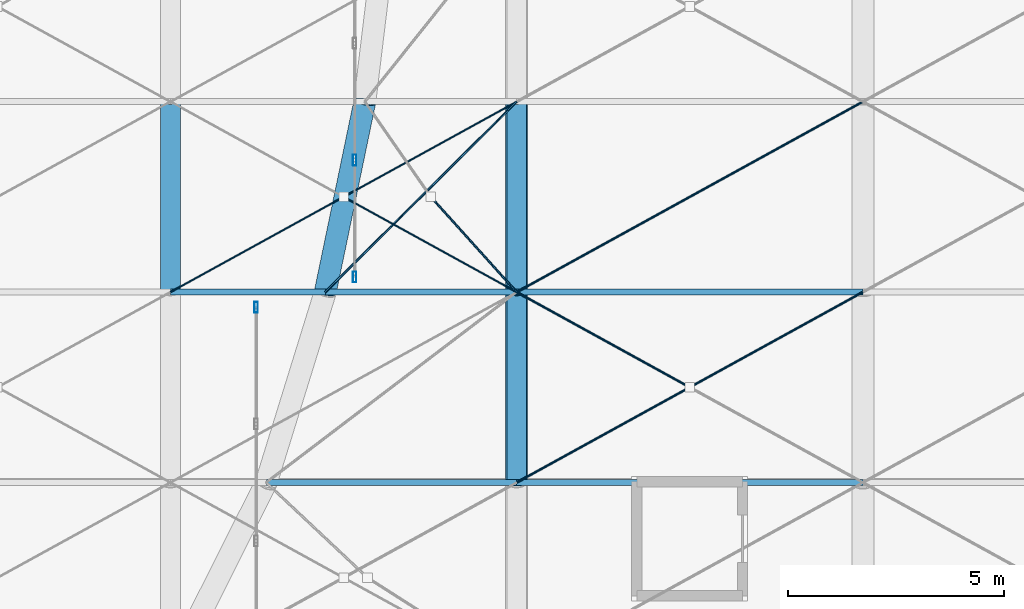
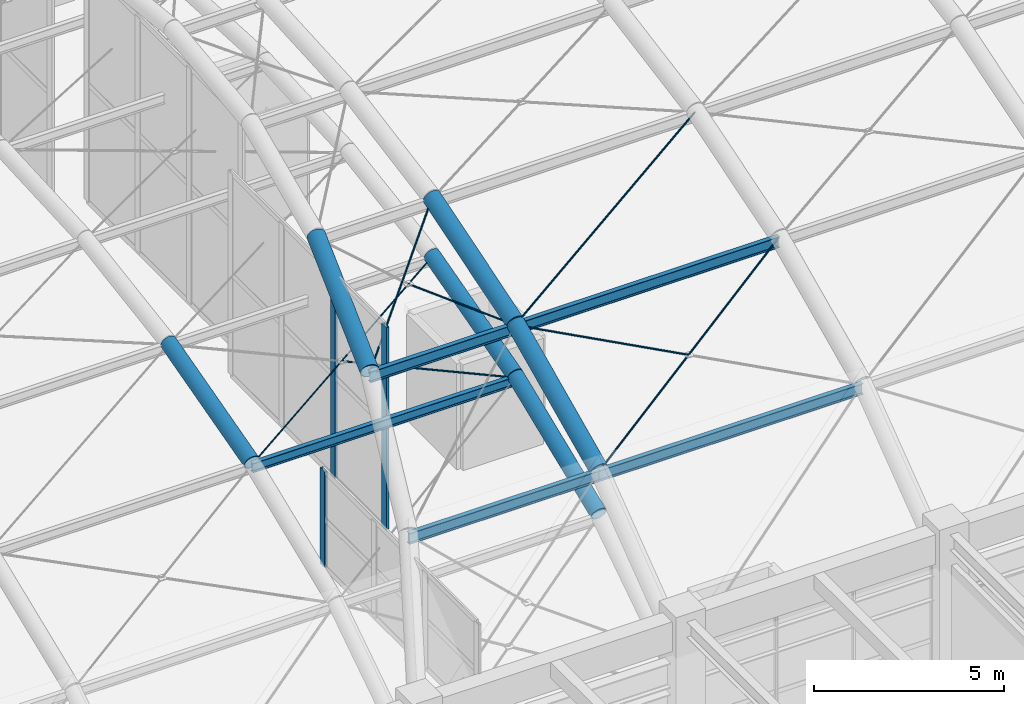
# One storey, part 41 of 163: 11 beams, 10 members, 2 elements without a shape of their own.
"""IFC4 building model written with IfcOpenShell, lengths in metres."""

import ifcopenshell
import ifcopenshell.guid

model = None  # the IFC model being written
_history = None  # IfcOwnerHistory: only IFC2X3 demands one
_inside = {}  # id of a spatial element -> (the spatial element, [elements in it])
_under = {}  # id of a project, library or spatial element -> (it, [spatial elements below it])
_declared = {}  # id of a project -> (the project, [libraries it declares])
_typed = {}  # id of a type object -> (the type object, [elements of that type])
_made_of = {}  # id of a material, layer set ... -> (it, [elements and type objects made of it])


def new_model(schema):
    """Start an empty IFC model of exactly this schema.

    Asked for "IFC4X3", IfcOpenShell would pick the latest addendum, in which some entities
    have other attributes; the version numbers below select the first issue.
    IFC2X3 requires an IfcOwnerHistory on every rooted entity: one is made here for all.
    """
    global model, _history
    if schema == "IFC4X3":
        model = ifcopenshell.file(schema_version=(4, 3, 0, 0))
    else:
        model = ifcopenshell.file(schema=schema)
    _inside.clear()
    _under.clear()
    _declared.clear()
    _typed.clear()
    _made_of.clear()
    _history = None
    if model.schema == "IFC2X3":
        org = make("IfcOrganization", Name="unknown")
        user = make(
            "IfcPersonAndOrganization",
            ThePerson=make("IfcPerson", FamilyName="unknown"),
            TheOrganization=org,
        )
        app = make(
            "IfcApplication",
            ApplicationDeveloper=org,
            Version="unknown",
            ApplicationFullName="unknown",
            ApplicationIdentifier="unknown",
        )
        _history = make(
            "IfcOwnerHistory",
            OwningUser=user,
            OwningApplication=app,
            ChangeAction="ADDED",
            CreationDate=0,
        )
    return model


def make(cls, **values):
    """One entity of the class cls with the attributes given. An attribute that is None is left unset."""
    return model.create_entity(
        cls, **{name: value for name, value in values.items() if value is not None}
    )


def rooted(cls, **values):
    """An entity with a GlobalId (a new one), such as an element, a storey or a relation."""
    return make(cls, GlobalId=ifcopenshell.guid.new(), OwnerHistory=_history, **values)


def si_unit(unit_type, name, prefix=None):
    """IfcSIUnit, for example si_unit("LENGTHUNIT", "METRE", prefix="MILLI")."""
    return make("IfcSIUnit", UnitType=unit_type, Prefix=prefix, Name=name)


def assignment(units):
    """IfcUnitAssignment: the units of a project."""
    return None if units is None else make("IfcUnitAssignment", Units=units)


def point(xyz):
    """IfcCartesianPoint."""
    return None if xyz is None else make("IfcCartesianPoint", Coordinates=xyz)


def direction(xyz):
    """IfcDirection."""
    return None if xyz is None else make("IfcDirection", DirectionRatios=xyz)


def frame(location, z_axis=None, x_axis=None):
    """IfcAxis2Placement3D, a coordinate frame: its origin and axes. An axis left out is left unset."""
    return make(
        "IfcAxis2Placement3D",
        Location=point(location),
        Axis=direction(z_axis),
        RefDirection=direction(x_axis),
    )


def frame_2d(location, x_axis=None):
    """IfcAxis2Placement2D, a coordinate frame in the plane: its origin and x axis."""
    return make(
        "IfcAxis2Placement2D", Location=point(location), RefDirection=direction(x_axis)
    )


def origin():
    """The frame at (0, 0, 0) with its axes left unset."""
    return frame((0.0, 0.0, 0.0))


def origin_2d():
    """The frame at (0, 0) in the plane with its x axis left unset."""
    return frame_2d((0.0, 0.0))


def place(relative_to, where):
    """IfcLocalPlacement: puts the frame where relative to a parent placement (None: the world)."""
    return make(
        "IfcLocalPlacement", PlacementRelTo=relative_to, RelativePlacement=where
    )


def context(
    kind, dimensions, precision=None, world=None, true_north=None, identifier=None
):
    """IfcGeometricRepresentationContext, for example the 3D "Model" context."""
    return make(
        "IfcGeometricRepresentationContext",
        ContextIdentifier=identifier,
        ContextType=kind,
        CoordinateSpaceDimension=dimensions,
        Precision=precision,
        WorldCoordinateSystem=world,
        TrueNorth=true_north,
    )


def subcontext(parent, identifier, kind, view, scale=None):
    """IfcGeometricRepresentationSubContext, for example "Body" below "Model"."""
    return make(
        "IfcGeometricRepresentationSubContext",
        ContextIdentifier=identifier,
        ContextType=kind,
        ParentContext=parent,
        TargetScale=scale,
        TargetView=view,
    )


def project(units=None, contexts=None):
    """IfcProject with its units and contexts."""
    return rooted(
        "IfcProject",
        Name="project",
        RepresentationContexts=contexts,
        UnitsInContext=assignment(units),
    )


def spatial(cls, under=None, at=None, **own):
    """A site, building, storey or space (cls), placed at a placement, below another one or the project."""
    s = rooted(cls, ObjectPlacement=at, **own)
    if under is not None:
        _under.setdefault(under.id(), (under, []))[1].append(s)
    return s


def profile(cls, at=None, kind="AREA", **sizes):
    """A parametric profile (cls). Its sizes go by their IFC names, for example OverallWidth=200.0."""
    return make(cls, ProfileType=kind, Position=at, **sizes)


def hollow_rectangle(**sizes):
    """IfcRectangleHollowProfileDef."""
    return profile("IfcRectangleHollowProfileDef", **sizes)


def circle(**sizes):
    """IfcCircleProfileDef."""
    return profile("IfcCircleProfileDef", **sizes)


def hollow_circle(**sizes):
    """IfcCircleHollowProfileDef."""
    return profile("IfcCircleHollowProfileDef", **sizes)


def i_section(**sizes):
    """IfcIShapeProfileDef."""
    return profile("IfcIShapeProfileDef", **sizes)


def extrude(swept, where, along, depth):
    """IfcExtrudedAreaSolid: the profile swept, set in the frame where, extruded along a direction by depth."""
    return make(
        "IfcExtrudedAreaSolid",
        SweptArea=swept,
        Position=where,
        ExtrudedDirection=direction(along),
        Depth=depth,
    )


def shape(context_of_items, identifier, shape_type, items):
    """IfcShapeRepresentation: the items that make up one representation, for example the "Body"."""
    return make(
        "IfcShapeRepresentation",
        ContextOfItems=context_of_items,
        RepresentationIdentifier=identifier,
        RepresentationType=shape_type,
        Items=items,
    )


def material(Name=None, Category=None):
    """IfcMaterial."""
    return make("IfcMaterial", Name=Name, Category=Category)


def material_profile(
    of_material, cross_section, Name=None, Category=None, Priority=None
):
    """IfcMaterialProfile: a cross section and its material."""
    return make(
        "IfcMaterialProfile",
        Name=Name,
        Material=of_material,
        Profile=cross_section,
        Priority=Priority,
        Category=Category,
    )


def profile_set(profiles, Name=None, composite=None):
    """IfcMaterialProfileSet."""
    return make(
        "IfcMaterialProfileSet",
        Name=Name,
        MaterialProfiles=profiles,
        CompositeProfile=composite,
    )


def made_of(thing, what):
    """Note that an element or type object is made of a material, layer set ...; save() writes the relation."""
    if what is not None:
        _made_of.setdefault(what.id(), (what, []))[1].append(thing)
    return thing


def type_object(cls, material=None, **own):
    """A type object (cls), such as IfcWallType, which elements share."""
    return made_of(rooted(cls, **own), material)


def element(
    cls,
    number,
    at=None,
    inside=None,
    cuts=None,
    type_object=None,
    material=None,
    context=None,
    identifier="Body",
    shape_type=None,
    held_by="IfcProductDefinitionShape",
    body=None,
    shapes=None,
    **own,
):
    """One element of the class cls, such as IfcWall. Its Tag is "e" and its number.

    at: its placement. inside: the storey or other place that contains it. cuts: it is an
    opening in that element (IfcRelVoidsElement). A single representation is given by context,
    identifier, shape_type and body (its items); several are given by shapes. held_by: the class
    of the entity that holds the representations. save() writes the other relations.
    """
    e = rooted(cls, Tag="e%d" % number, ObjectPlacement=at, **own)
    if body is not None:
        shapes = [shape(context, identifier, shape_type, body)]
    if shapes is not None:
        e.Representation = make(held_by, Representations=shapes)
    if inside is not None:
        _inside.setdefault(inside.id(), (inside, []))[1].append(e)
    if cuts is not None:
        rooted(
            "IfcRelVoidsElement", RelatingBuildingElement=cuts, RelatedOpeningElement=e
        )
    if type_object is not None:
        _typed.setdefault(type_object.id(), (type_object, []))[1].append(e)
    return made_of(e, material)


def aggregate(whole, parts):
    """IfcRelAggregates: a whole, such as a stair, and the parts it consists of."""
    return rooted("IfcRelAggregates", RelatingObject=whole, RelatedObjects=parts)


def save(model, path):
    """Write the relations noted so far, then the file.

    IfcRelAggregates (storeys below a building ...), IfcRelContainedInSpatialStructure (elements
    in a storey), IfcRelDefinesByType, IfcRelAssociatesMaterial and IfcRelDeclares: one each for
    every whole, place, type object, material and project.
    """
    for whole, parts in _under.values():
        aggregate(whole, parts)
    for where, things in _inside.values():
        rooted(
            "IfcRelContainedInSpatialStructure",
            RelatedElements=things,
            RelatingStructure=where,
        )
    for kind, things in _typed.values():
        rooted("IfcRelDefinesByType", RelatedObjects=things, RelatingType=kind)
    for what, things in _made_of.values():
        rooted("IfcRelAssociatesMaterial", RelatedObjects=things, RelatingMaterial=what)
    for by, libraries in _declared.values():
        rooted("IfcRelDeclares", RelatingContext=by, RelatedDefinitions=libraries)
    model.write(path)


model = new_model("IFC4")

# Units and contexts
model_context = context("Model", 3, precision=1e-05, world=origin(), true_north=direction((0.0, 1.0)))
body_context = subcontext(model_context, "Body", "Model", "MODEL_VIEW")
ifc_project = project(units=[si_unit("LENGTHUNIT", "METRE"), si_unit("AREAUNIT", "SQUARE_METRE"), si_unit("VOLUMEUNIT", "CUBIC_METRE"), si_unit("PLANEANGLEUNIT", "RADIAN"), si_unit("MASSUNIT", "GRAM", prefix="KILO")], contexts=[model_context])

# Site, building, storey
site_placement = place(None, origin())
site = spatial("IfcSite", under=ifc_project, at=site_placement, CompositionType="ELEMENT")
building_placement = place(site_placement, origin())
building = spatial("IfcBuilding", under=site, at=building_placement, Name="Varnabhumi Central Station", CompositionType="ELEMENT")
storey_placement = place(building_placement, frame((0.0, 0.0, 9.60009765625)))
storey = spatial("IfcBuildingStorey", under=building, at=storey_placement, Name="L02", CompositionType="ELEMENT", Elevation=9.60009765625)

# Beams
ifc_material_1 = material(Name="Structural steel E450", Category="steel")
ifc_material_profile_1 = material_profile(ifc_material_1, hollow_circle(Radius=0.228515625, WallThickness=0.01611328125, at=origin_2d()), Name="Structural steel E450", Category="steel")
ifc_profile_set_1 = profile_set([ifc_material_profile_1], Name="Structural steel E450")
beam_type_1 = type_object("IfcBeamType", Name="BM-ARCH-CHS457", PredefinedType="BEAM", material=ifc_profile_set_1)
beam_1_placement = place(storey_placement, frame((72.0, 44.800048828125, 8.6279296875), z_axis=(0.0, 0.965022848722, 0.262165789998), x_axis=(-1.0, 0.0, 0.0)))
element("IfcBeam", 1, at=beam_1_placement, inside=storey, type_object=beam_type_1, Name="Ticket Hall Vault Arch Rib 5 Seg 3", PredefinedType="BEAM", context=body_context, shape_type="SweptSolid", body=[
    extrude(hollow_circle(Radius=0.228515625, WallThickness=0.01611328125, at=origin_2d()), origin(), (0.0, 0.0, 1.0), 4.559326171875),
])
beam_2_placement = place(storey_placement, frame((80.0, 40.39990234375, 6.844970703125), z_axis=(0.0, 0.926804098242, 0.37554515505), x_axis=(-1.0, 0.0, 0.0)))
element("IfcBeam", 2, at=beam_2_placement, inside=storey, type_object=beam_type_1, Name="Ticket Hall Vault Arch Rib 6 Seg 2", PredefinedType="BEAM", context=body_context, shape_type="SweptSolid", body=[
    extrude(hollow_circle(Radius=0.228515625, WallThickness=0.01611328125, at=origin_2d()), origin(), (0.0, 0.0, 1.0), 4.74755859375),
])
beam_3_placement = place(storey_placement, frame((80.0, 44.800048828125, 8.6279296875), z_axis=(0.0, 0.965022848722, 0.262165789998), x_axis=(-1.0, 0.0, 0.0)))
element("IfcBeam", 3, at=beam_3_placement, inside=storey, type_object=beam_type_1, Name="Ticket Hall Vault Arch Rib 6 Seg 3", PredefinedType="BEAM", context=body_context, shape_type="SweptSolid", body=[
    extrude(hollow_circle(Radius=0.228515625, WallThickness=0.01611328125, at=origin_2d()), origin(), (0.0, 0.0, 1.0), 4.559326171875),
])
ifc_material_2 = material(Name="Structural steel E350", Category="steel")
ifc_material_profile_2 = material_profile(ifc_material_2, hollow_circle(Radius=0.25390625, WallThickness=0.02001953125, at=origin_2d()), Name="Structural steel E350", Category="steel")
ifc_profile_set_2 = profile_set([ifc_material_profile_2], Name="Structural steel E350")
beam_type_2 = type_object("IfcBeamType", Name="BM-ARCH-CHS508", PredefinedType="BEAM", material=ifc_profile_set_2)
beam_4_placement = place(storey_placement, frame((75.577392578125, 44.800048828125, 10.31591796875), z_axis=(0.194549434517, 0.936477005574, 0.291824151776), x_axis=(-0.979095067091, 0.20340317008, 0.0)))
element("IfcBeam", 4, at=beam_4_placement, inside=storey, type_object=beam_type_2, Name="Departure Concourse Vault Arch Rib 1 Seg 3", PredefinedType="BEAM", context=body_context, shape_type="SweptSolid", body=[
    extrude(hollow_circle(Radius=0.25390625, WallThickness=0.02001953125, at=origin_2d()), origin(), (0.0, 0.0, 1.0), 4.6982421875),
])
beam_5_placement = place(storey_placement, frame((80.0, 40.39990234375, 8.270751953125), z_axis=(0.0, 0.906832494276, 0.421491194837), x_axis=(-1.0, 0.0, 0.0)))
element("IfcBeam", 5, at=beam_5_placement, inside=storey, type_object=beam_type_2, Name="Departure Concourse Vault Arch Rib 2 Seg 2", PredefinedType="BEAM", context=body_context, shape_type="SweptSolid", body=[
    extrude(hollow_circle(Radius=0.25390625, WallThickness=0.02001953125, at=origin_2d()), origin(), (0.0, 0.0, 1.0), 4.852294921875),
])
beam_6_placement = place(storey_placement, frame((80.0, 44.800048828125, 10.31591796875), z_axis=(0.0, 0.954719095828, 0.29750873611), x_axis=(-1.0, 0.0, 0.0)))
element("IfcBeam", 6, at=beam_6_placement, inside=storey, type_object=beam_type_2, Name="Departure Concourse Vault Arch Rib 2 Seg 3", PredefinedType="BEAM", context=body_context, shape_type="SweptSolid", body=[
    extrude(hollow_circle(Radius=0.25390625, WallThickness=0.02001953125, at=origin_2d()), origin(), (0.0, 0.0, 1.0), 4.608642578125),
])
ifc_material_profile_3 = material_profile(ifc_material_2, i_section(OverallWidth=0.139892578125, OverallDepth=0.300048828125, WebThickness=0.0078125, FlangeThickness=0.01318359375, FilletRadius=0.013916015625, at=origin_2d()), Name="Structural steel E350", Category="steel")
ifc_profile_set_3 = profile_set([ifc_material_profile_3], Name="Structural steel E350")
beam_type_3 = type_object("IfcBeamType", Name="BM-PUR-ISMB300", PredefinedType="LINTEL", material=ifc_profile_set_3)
beam_7_placement = place(storey_placement, frame((72.0, 44.800048828125, 8.477783203125), z_axis=(1.0, 0.0, 0.0), x_axis=(0.0, 1.0, 0.0)))
element("IfcBeam", 7, at=beam_7_placement, inside=storey, type_object=beam_type_3, Name="Ticket Hall Vault Purlin B5-L2", PredefinedType="LINTEL", context=body_context, shape_type="SweptSolid", body=[
    extrude(i_section(OverallWidth=0.139892578125, OverallDepth=0.300048828125, WebThickness=0.0078125, FlangeThickness=0.01318359375, FilletRadius=0.013916015625, at=origin_2d()), origin(), (0.0, 0.0, 1.0), 8.0),
])
ifc_material_profile_4 = material_profile(ifc_material_2, i_section(OverallWidth=0.139892578125, OverallDepth=0.35009765625, WebThickness=0.008056640625, FlangeThickness=0.01416015625, FilletRadius=0.013916015625, at=origin_2d()), Name="Structural steel E350", Category="steel")
ifc_profile_set_4 = profile_set([ifc_material_profile_4], Name="Structural steel E350")
beam_type_4 = type_object("IfcBeamType", Name="BM-PUR-ISMB350", PredefinedType="LINTEL", material=ifc_profile_set_4)
beam_8_placement = place(storey_placement, frame((74.2138671875, 40.39990234375, 8.095703125), z_axis=(1.0, 0.0, 0.0), x_axis=(0.0, 1.0, 0.0)))
element("IfcBeam", 8, at=beam_8_placement, inside=storey, type_object=beam_type_4, Name="Departure Concourse Vault Purlin B1-L1", PredefinedType="LINTEL", context=body_context, shape_type="SweptSolid", body=[
    extrude(i_section(OverallWidth=0.139892578125, OverallDepth=0.35009765625, WebThickness=0.008056640625, FlangeThickness=0.01416015625, FilletRadius=0.013916015625, at=origin_2d()), origin(), (0.0, 0.0, 1.0), 5.7861328125),
])
beam_9_placement = place(storey_placement, frame((75.577392578125, 44.800048828125, 10.140869140625), z_axis=(1.0, 0.0, 0.0), x_axis=(0.0, 1.0, 0.0)))
element("IfcBeam", 9, at=beam_9_placement, inside=storey, type_object=beam_type_4, Name="Departure Concourse Vault Purlin B1-L2", PredefinedType="LINTEL", context=body_context, shape_type="SweptSolid", body=[
    extrude(i_section(OverallWidth=0.139892578125, OverallDepth=0.35009765625, WebThickness=0.008056640625, FlangeThickness=0.01416015625, FilletRadius=0.013916015625, at=origin_2d()), origin(), (0.0, 0.0, 1.0), 4.422607421875),
])
for number, where, z_axis, x_axis, name in (
    (10, (80.0, 40.39990234375, 8.095703125), (1.0, 0.0, 0.0), (0.0, 1.0, 0.0), "Departure Concourse Vault Purlin B2-L1"),
    (11, (80.0, 44.800048828125, 10.140869140625), (1.0, 0.0, 0.0), (0.0, 1.0, 0.0), "Departure Concourse Vault Purlin B2-L2"),
):
    element("IfcBeam", number, at=place(storey_placement, frame(where, z_axis=z_axis, x_axis=x_axis)), inside=storey, type_object=beam_type_4, Name=name, PredefinedType="LINTEL", context=body_context, shape_type="SweptSolid", body=[
        extrude(i_section(OverallWidth=0.139892578125, OverallDepth=0.35009765625, WebThickness=0.008056640625, FlangeThickness=0.01416015625, FilletRadius=0.013916015625, at=origin_2d()), origin(), (0.0, 0.0, 1.0), 8.0),
    ])

# Curtain wall, member
ifc_material_3 = material(Name="Anodised aluminium 6063-T6", Category="aluminium")
curtain_wall_type = type_object("IfcCurtainWallType", Name="CW-VAULT-ARCH-V4", PredefinedType="NOTDEFINED", material=ifc_material_3)
curtain_wall_1_placement = place(storey_placement, origin())
curtain_wall_1 = element("IfcCurtainWall", 12, at=curtain_wall_1_placement, inside=storey, type_object=curtain_wall_type, Name="Curtain Wall CW-V41", PredefinedType="NOTDEFINED")
ifc_material_profile_5 = material_profile(ifc_material_3, hollow_rectangle(XDim=0.080078125, YDim=0.25, WallThickness=0.0048828125, InnerFilletRadius=0.0009765625, OuterFilletRadius=0.006103515625, at=origin_2d()), Name="Anodised aluminium 6063-T6", Category="aluminium")
ifc_profile_set_5 = profile_set([ifc_material_profile_5], Name="Anodised aluminium 6063-T6")
member_type_1 = type_object("IfcMemberType", Name="CW-MUL-250", PredefinedType="MULLION", material=ifc_profile_set_5)
member_1_placement = place(storey_placement, frame((73.98095703125, 44.449951171875, 4.849853515625), z_axis=(0.0, 0.0, 1.0), x_axis=(1.0, 0.0, 0.0)))
member_1 = element("IfcMember", 13, at=member_1_placement, type_object=member_type_1, Name="Curtain Wall Mullion CW-V41-M4", PredefinedType="MULLION", context=body_context, shape_type="SweptSolid", body=[
    extrude(hollow_rectangle(XDim=0.080078125, YDim=0.25, WallThickness=0.0048828125, InnerFilletRadius=0.0009765625, OuterFilletRadius=0.006103515625, at=origin_2d()), origin(), (0.0, 0.0, 1.0), 3.071044921875),
])
aggregate(curtain_wall_1, [member_1])

# Curtain wall, members
curtain_wall_2_placement = place(storey_placement, origin())
curtain_wall_2 = element("IfcCurtainWall", 14, at=curtain_wall_2_placement, inside=storey, type_object=curtain_wall_type, Name="Curtain Wall CW-V42", PredefinedType="NOTDEFINED")
member_2_placement = place(storey_placement, frame((76.258056640625, 45.14990234375, 4.849853515625), z_axis=(0.0, 0.0, 1.0), x_axis=(1.0, 0.0, 0.0)))
member_2 = element("IfcMember", 15, at=member_2_placement, type_object=member_type_1, Name="Curtain Wall Mullion CW-V42-M1", PredefinedType="MULLION", context=body_context, shape_type="SweptSolid", body=[
    extrude(hollow_rectangle(XDim=0.080078125, YDim=0.25, WallThickness=0.0048828125, InnerFilletRadius=0.0009765625, OuterFilletRadius=0.006103515625, at=origin_2d()), origin(), (0.0, 0.0, 1.0), 6.487060546875),
])
member_3_placement = place(storey_placement, frame((76.258056640625, 47.85009765625, 4.849853515625), z_axis=(0.0, 0.0, 1.0), x_axis=(1.0, 0.0, 0.0)))
member_3 = element("IfcMember", 16, at=member_3_placement, type_object=member_type_1, Name="Curtain Wall Mullion CW-V42-M2", PredefinedType="MULLION", context=body_context, shape_type="SweptSolid", body=[
    extrude(hollow_rectangle(XDim=0.080078125, YDim=0.25, WallThickness=0.0048828125, InnerFilletRadius=0.0009765625, OuterFilletRadius=0.006103515625, at=origin_2d()), origin(), (0.0, 0.0, 1.0), 6.487060546875),
])
aggregate(curtain_wall_2, [member_2, member_3])

# Members
ifc_material_4 = material(Name="Spiral-strand steel S1570", Category="steel")
ifc_material_profile_6 = material_profile(ifc_material_4, circle(Radius=0.02099609375, at=origin_2d()), Name="Spiral-strand steel S1570", Category="steel")
ifc_profile_set_6 = profile_set([ifc_material_profile_6], Name="Spiral-strand steel S1570")
member_type_2 = type_object("IfcMemberType", Name="MBR-CABLE-D42", PredefinedType="USERDEFINED", material=ifc_profile_set_6)
member_4_placement = place(storey_placement, frame((72.0, 44.800048828125, 8.5478515625), z_axis=(0.868803417008, 0.477831273844, 0.129837961825), x_axis=(-0.481910537812, 0.876220425204, 0.0)))
element("IfcMember", 17, at=member_4_placement, inside=storey, type_object=member_type_2, Name="Ticket Hall Vault Cable-Net Tie B5-P3A", ObjectType="TENSION CABLE", PredefinedType="USERDEFINED", context=body_context, shape_type="SweptSolid", body=[
    extrude(circle(Radius=0.02099609375, at=origin_2d()), origin(), (0.0, 0.0, 1.0), 9.2080078125),
])
member_5_placement = place(storey_placement, frame((76.0, 47.0, 9.1455078125), z_axis=(0.86880640757, -0.477832918616, -0.129811894881), x_axis=(0.481910537812, 0.876220425204, 0.0)))
element("IfcMember", 18, at=member_5_placement, inside=storey, type_object=member_type_2, Name="Ticket Hall Vault Cable-Net Split Tie B5-P3B2", ObjectType="TENSION CABLE", PredefinedType="USERDEFINED", context=body_context, shape_type="SweptSolid", body=[
    extrude(circle(Radius=0.02099609375, at=origin_2d()), origin(), (0.0, 0.0, 1.0), 4.60400390625),
])
ifc_material_profile_7 = material_profile(ifc_material_4, circle(Radius=0.027099609375, at=origin_2d()), Name="Spiral-strand steel S1570", Category="steel")
ifc_profile_set_7 = profile_set([ifc_material_profile_7], Name="Spiral-strand steel S1570")
member_type_3 = type_object("IfcMemberType", Name="MBR-CABLE-D54", PredefinedType="USERDEFINED", material=ifc_profile_set_7)
member_6_placement = place(storey_placement, frame((75.577392578125, 44.800048828125, 10.23583984375), z_axis=(0.692398818875, 0.688844135455, 0.214657011692), x_axis=(-0.70528467831, 0.708924200843, 0.0)))
element("IfcMember", 19, at=member_6_placement, inside=storey, type_object=member_type_3, Name="Departure Concourse Vault Cable-Net Tie B1-P3A", ObjectType="TENSION CABLE", PredefinedType="USERDEFINED", context=body_context, shape_type="SweptSolid", body=[
    extrude(circle(Radius=0.027099609375, at=origin_2d()), origin(), (0.0, 0.0, 1.0), 6.387451171875),
])
member_7_placement = place(storey_placement, frame((78.01708984375, 47.0, 10.92138671875), z_axis=(0.6522698182, -0.723664532357, -0.225507713557), x_axis=(0.742797981538, 0.669515614921, 0.0)))
element("IfcMember", 20, at=member_7_placement, inside=storey, type_object=member_type_3, Name="Departure Concourse Vault Cable-Net Split Tie B1-P3B2", ObjectType="TENSION CABLE", PredefinedType="USERDEFINED", context=body_context, shape_type="SweptSolid", body=[
    extrude(circle(Radius=0.027099609375, at=origin_2d()), origin(), (0.0, 0.0, 1.0), 3.0400390625),
])
member_8_placement = place(storey_placement, frame((80.0, 40.39990234375, 8.19091796875), z_axis=(0.855025934416, 0.470279919921, 0.218557654623), x_axis=(-0.481931067474, 0.876209133828, 0.0)))
element("IfcMember", 21, at=member_8_placement, inside=storey, type_object=member_type_3, Name="Departure Concourse Vault Cable-Net Tie B2-P2A", ObjectType="TENSION CABLE", PredefinedType="USERDEFINED", context=body_context, shape_type="SweptSolid", body=[
    extrude(circle(Radius=0.027099609375, at=origin_2d()), origin(), (0.0, 0.0, 1.0), 9.3564453125),
])
member_9_placement = place(storey_placement, frame((80.0, 44.800048828125, 10.23583984375), z_axis=(0.855036426483, -0.470259597109, -0.218560336554), x_axis=(0.481910537812, 0.876220425204, 0.0)))
element("IfcMember", 22, at=member_9_placement, inside=storey, type_object=member_type_3, Name="Departure Concourse Vault Cable-Net Split Tie B2-P2B1", ObjectType="TENSION CABLE", PredefinedType="USERDEFINED", context=body_context, shape_type="SweptSolid", body=[
    extrude(circle(Radius=0.027099609375, at=origin_2d()), origin(), (0.0, 0.0, 1.0), 4.67822265625),
])
member_10_placement = place(storey_placement, frame((80.0, 44.800048828125, 10.23583984375), z_axis=(0.866504286303, 0.476566780022, 0.148507326412), x_axis=(-0.481910537812, 0.876220425204, 0.0)))
element("IfcMember", 23, at=member_10_placement, inside=storey, type_object=member_type_3, Name="Departure Concourse Vault Cable-Net Tie B2-P3A", ObjectType="TENSION CABLE", PredefinedType="USERDEFINED", context=body_context, shape_type="SweptSolid", body=[
    extrude(circle(Radius=0.027099609375, at=origin_2d()), origin(), (0.0, 0.0, 1.0), 9.232421875),
])

save(model, "model.ifc")
